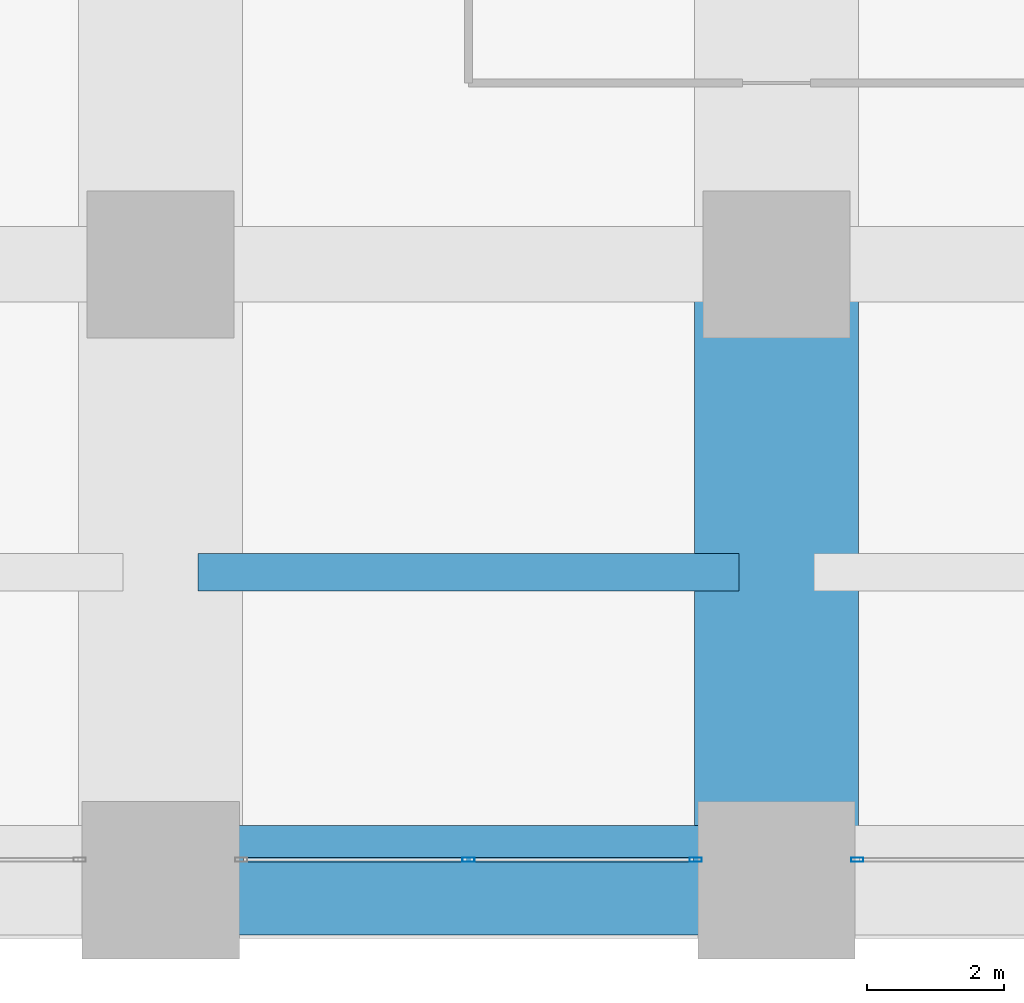
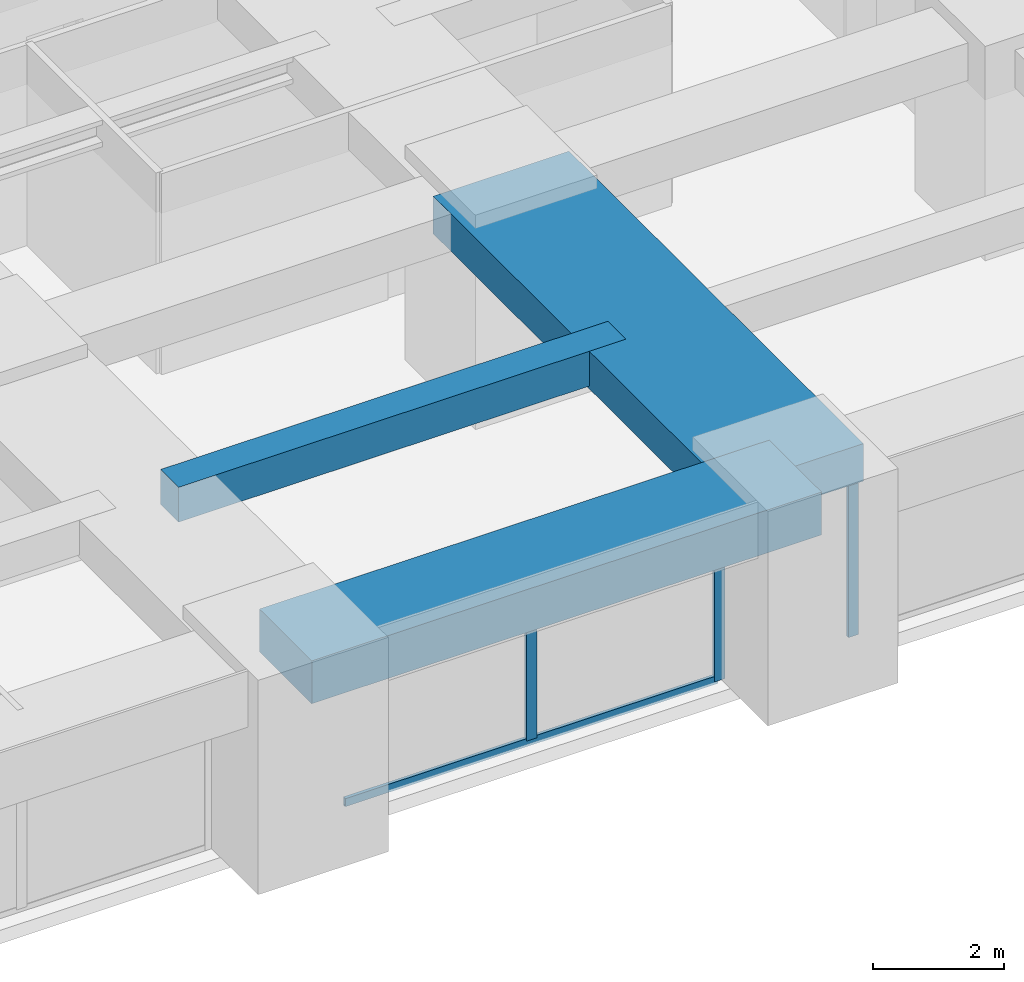
# One storey, part 13 of 43: 4 members, 3 beams, 2 elements without a shape of their own.
"""IFC4 building model written with IfcOpenShell, lengths in metres."""

from ifc_helpers import new_model, si_unit, direction, frame, origin, origin_2d, place, context, subcontext, project, spatial, rectangle, hollow_rectangle, extrude, material, material_profile, profile_set, type_object, element, aggregate, save


model = new_model("IFC4")

# Units and contexts
model_context = context("Model", 3, precision=1e-05, world=origin(), true_north=direction((0.0, 1.0)))
body_context = subcontext(model_context, "Body", "Model", "MODEL_VIEW")
ifc_project = project(units=[si_unit("LENGTHUNIT", "METRE"), si_unit("AREAUNIT", "SQUARE_METRE"), si_unit("VOLUMEUNIT", "CUBIC_METRE"), si_unit("PLANEANGLEUNIT", "RADIAN"), si_unit("MASSUNIT", "GRAM", prefix="KILO")], contexts=[model_context])

# Site, building, storey
site_placement = place(None, origin())
site = spatial("IfcSite", under=ifc_project, at=site_placement, CompositionType="ELEMENT")
building_placement = place(site_placement, origin())
building = spatial("IfcBuilding", under=site, at=building_placement, Name="Zorevar Civic Tower", CompositionType="ELEMENT")
storey_placement = place(building_placement, frame((0.0, 0.0, 67.800048828125)))
storey = spatial("IfcBuildingStorey", under=building, at=storey_placement, Name="L16", CompositionType="ELEMENT", Elevation=67.800048828125)

# Beams
ifc_material_1 = material(Name="Concrete C50/60", Category="concrete")
ifc_material_profile_1 = material_profile(ifc_material_1, rectangle(XDim=2.39990234375, YDim=0.699951171875, at=origin_2d()), Name="RC 2400x700")
ifc_profile_set_1 = profile_set([ifc_material_profile_1], Name="Concrete C50/60")
beam_type_1 = type_object("IfcBeamType", Name="Beam RC 2400x700", PredefinedType="BEAM", material=ifc_profile_set_1)
beam_1_placement = place(storey_placement, frame((45.0, 0.0, 3.39990234375), z_axis=(0.0, 1.0, 0.0), x_axis=(-1.0, 0.0, 0.0)))
element("IfcBeam", 1, at=beam_1_placement, inside=storey, type_object=beam_type_1, Name="Girder L17", PredefinedType="BEAM", context=body_context, shape_type="SweptSolid", body=[
    extrude(rectangle(XDim=2.39990234375, YDim=0.699951171875, at=origin_2d()), origin(), (0.0, 0.0, 1.0), 9.0),
])
ifc_material_2 = material(Name="Concrete C50/60", Category="concrete")
ifc_material_profile_2 = material_profile(ifc_material_2, rectangle(XDim=0.550048828125, YDim=0.64990234375, at=origin_2d()), Name="RC 550x650")
ifc_profile_set_2 = profile_set([ifc_material_profile_2], Name="Concrete C50/60")
beam_type_2 = type_object("IfcBeamType", Name="Beam RC 550x650", PredefinedType="BEAM", material=ifc_profile_set_2)
beam_2_placement = place(storey_placement, frame((36.550048828125, 4.5, 3.425048828125), z_axis=(1.0, 0.0, 0.0), x_axis=(0.0, 1.0, 0.0)))
element("IfcBeam", 2, at=beam_2_placement, inside=storey, type_object=beam_type_2, Name="Secondary beam L17", PredefinedType="BEAM", context=body_context, shape_type="SweptSolid", body=[
    extrude(rectangle(XDim=0.550048828125, YDim=0.64990234375, at=origin_2d()), origin(), (0.0, 0.0, 1.0), 7.89990234375),
])

# Curtain wall, members
ifc_material_3 = material(Name="Dark grey solar-control glass in black aluminium frame", Category="aluminium")
curtain_wall_type = type_object("IfcCurtainWallType", Name="Curtain wall CW2 low zone", PredefinedType="NOTDEFINED", material=ifc_material_3)
curtain_wall_1_placement = place(storey_placement, origin())
curtain_wall_1 = element("IfcCurtainWall", 3, at=curtain_wall_1_placement, inside=storey, type_object=curtain_wall_type, Name="CW2 L16", PredefinedType="NOTDEFINED")
ifc_material_4 = material(Name="Aluminium, black anodised", Category="aluminium")
ifc_material_profile_3 = material_profile(ifc_material_4, hollow_rectangle(XDim=0.06005859375, YDim=0.179931640625, WallThickness=0.00390625, at=origin_2d()), Name="AL 180x60x4")
ifc_profile_set_3 = profile_set([ifc_material_profile_3], Name="Aluminium, black anodised")
member_type_1 = type_object("IfcMemberType", Name="CW2 mullion AL 180x60x4", PredefinedType="MULLION", material=ifc_profile_set_3)
member_1_placement = place(storey_placement, frame((40.5, 0.300048828125, 0.06005859375), z_axis=(0.0, 0.0, 1.0), x_axis=(0.0, 1.0, 0.0)))
member_1 = element("IfcMember", 4, at=member_1_placement, type_object=member_type_1, Name="CW2 mullion 2", PredefinedType="MULLION", context=body_context, shape_type="SweptSolid", body=[
    extrude(hollow_rectangle(XDim=0.06005859375, YDim=0.179931640625, WallThickness=0.00390625, at=origin_2d()), origin(), (0.0, 0.0, 1.0), 2.889892578125),
])
member_2_placement = place(storey_placement, frame((43.820068359375, 0.300048828125, 0.0), z_axis=(0.0, 0.0, 1.0), x_axis=(0.0, 1.0, 0.0)))
member_2 = element("IfcMember", 5, at=member_2_placement, type_object=member_type_1, Name="CW2 mullion 3", PredefinedType="MULLION", context=body_context, shape_type="SweptSolid", body=[
    extrude(hollow_rectangle(XDim=0.06005859375, YDim=0.179931640625, WallThickness=0.00390625, at=origin_2d()), origin(), (0.0, 0.0, 1.0), 2.949951171875),
])

# Curtain wall, member
curtain_wall_2_placement = place(storey_placement, origin())
curtain_wall_2 = element("IfcCurtainWall", 6, at=curtain_wall_2_placement, inside=storey, type_object=curtain_wall_type, Name="CW2 L16", PredefinedType="NOTDEFINED")
member_3_placement = place(storey_placement, frame((46.179931640625, 0.300048828125, 0.0), z_axis=(0.0, 0.0, 1.0), x_axis=(0.0, 1.0, 0.0)))
member_3 = element("IfcMember", 7, at=member_3_placement, type_object=member_type_1, Name="CW2 mullion 1", PredefinedType="MULLION", context=body_context, shape_type="SweptSolid", body=[
    extrude(hollow_rectangle(XDim=0.06005859375, YDim=0.179931640625, WallThickness=0.00390625, at=origin_2d()), origin(), (0.0, 0.0, 1.0), 2.949951171875),
])
aggregate(curtain_wall_2, [member_3])

# Member
ifc_material_5 = material(Name="Aluminium, black anodised", Category="aluminium")
ifc_material_profile_4 = material_profile(ifc_material_5, hollow_rectangle(XDim=0.06005859375, YDim=0.14990234375, WallThickness=0.00390625, at=origin_2d()), Name="AL 150x60x4")
ifc_profile_set_4 = profile_set([ifc_material_profile_4], Name="Aluminium, black anodised")
member_type_2 = type_object("IfcMemberType", Name="CW2 transom AL 150x60x4", PredefinedType="USERDEFINED", material=ifc_profile_set_4)
member_4_placement = place(storey_placement, frame((37.2099609375, 0.300048828125, 0.030029296875), z_axis=(1.0, 0.0, 0.0), x_axis=(0.0, 1.0, 0.0)))
member_4 = element("IfcMember", 8, at=member_4_placement, type_object=member_type_2, Name="CW2 sill transom", ObjectType="TRANSOM", PredefinedType="USERDEFINED", context=body_context, shape_type="SweptSolid", body=[
    extrude(hollow_rectangle(XDim=0.06005859375, YDim=0.14990234375, WallThickness=0.00390625, at=origin_2d()), origin(), (0.0, 0.0, 1.0), 6.580078125),
])

aggregate(curtain_wall_1, [member_1, member_2, member_4])

# Beam
ifc_material_6 = material(Name="Concrete C50/60", Category="concrete")
ifc_material_profile_5 = material_profile(ifc_material_6, rectangle(XDim=1.60009765625, YDim=0.800048828125, at=origin_2d()), Name="RC 1600x800")
ifc_profile_set_5 = profile_set([ifc_material_profile_5], Name="Concrete C50/60")
beam_type_3 = type_object("IfcBeamType", Name="Edge beam RC 1600x800", PredefinedType="SPANDREL", material=ifc_profile_set_5)
beam_3_placement = place(storey_placement, frame((36.0, 0.0, 3.349853515625), z_axis=(1.0, 0.0, 0.0), x_axis=(0.0, 1.0, 0.0)))
element("IfcBeam", 9, at=beam_3_placement, inside=storey, type_object=beam_type_3, Name="Edge beam L17", PredefinedType="SPANDREL", context=body_context, shape_type="SweptSolid", body=[
    extrude(rectangle(XDim=1.60009765625, YDim=0.800048828125, at=origin_2d()), origin(), (0.0, 0.0, 1.0), 9.0),
])

save(model, "model.ifc")
